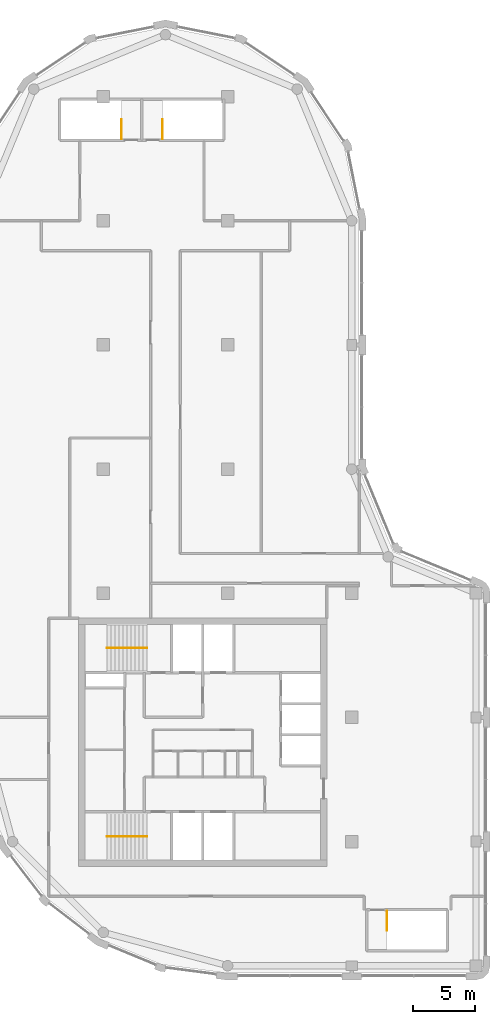
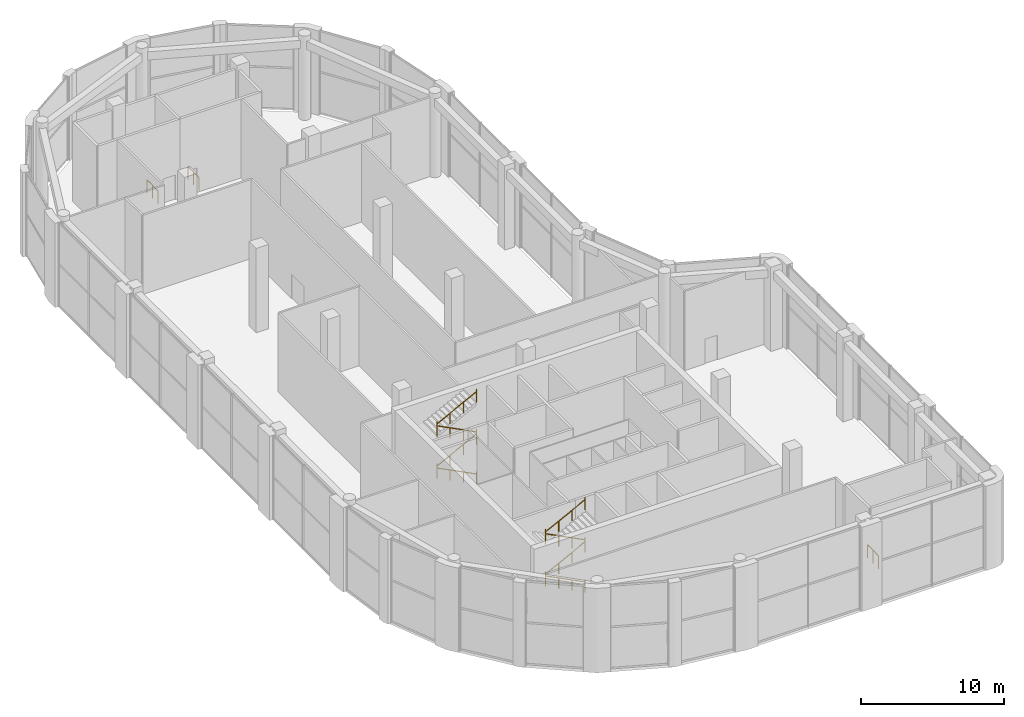
# One storey, part 14 of 14: 11 railings.
"""IFC4 building model written with IfcOpenShell, lengths in metres."""

from ifc_helpers import new_model, si_unit, direction, frame, origin, origin_2d, place, context, subcontext, project, spatial, circle, extrude, material, type_object, element, save


model = new_model("IFC4")

# Units and contexts
model_context = context("Model", 3, precision=1e-05, world=origin(), true_north=direction((0.0, 1.0)))
body_context = subcontext(model_context, "Body", "Model", "MODEL_VIEW")
ifc_project = project(units=[si_unit("LENGTHUNIT", "METRE"), si_unit("AREAUNIT", "SQUARE_METRE"), si_unit("VOLUMEUNIT", "CUBIC_METRE"), si_unit("PLANEANGLEUNIT", "RADIAN"), si_unit("MASSUNIT", "GRAM", prefix="KILO")], contexts=[model_context])

# Site, building, storey
site_placement = place(None, origin())
site = spatial("IfcSite", under=ifc_project, at=site_placement, CompositionType="ELEMENT")
building_placement = place(site_placement, origin())
building = spatial("IfcBuilding", under=site, at=building_placement, Name="Qaws Garden Tower", CompositionType="ELEMENT")
storey_placement = place(building_placement, frame((0.0, 0.0, 358.199951171875)))
storey = spatial("IfcBuildingStorey", under=building, at=storey_placement, Name="L87", CompositionType="ELEMENT", Elevation=358.199951171875)

# Railings
ifc_material_1 = material(Name="Steel S355", Category="steel")
railing_type_1 = type_object("IfcRailingType", Name="Stair guard 1100", PredefinedType="GUARDRAIL", material=ifc_material_1)
for number, where, name in (
    (1, (32.85009765625, 2.85009765625, 0.0), "Stair 5 guard"),
    (2, (11.449951171875, 66.60009765625, 0.0), "Stair 6 guard"),
    (3, (14.75, 66.60009765625, 0.0), "Stair 7 guard"),
):
    element("IfcRailing", number, at=place(storey_placement, frame(where)), inside=storey, type_object=railing_type_1, Name=name, PredefinedType="GUARDRAIL", context=body_context, shape_type="SweptSolid", body=[
        extrude(circle(Radius=0.02392578125, at=origin_2d()), frame((0.0, 0.0, 1.076171875), z_axis=(0.0, 1.0, 0.0), x_axis=(-1.0, 0.0, 0.0)), (0.0, 0.0, 1.0), 1.5498046875),
        extrude(circle(Radius=0.02099609375, at=origin_2d()), origin(), (0.0, 0.0, 1.0), 1.052001953125),
        extrude(circle(Radius=0.02099609375, at=origin_2d()), frame((0.0, 0.77490234375, 0.0)), (0.0, 0.0, 1.0), 1.052001953125),
        extrude(circle(Radius=0.02099609375, at=origin_2d()), frame((0.0, 1.5498046875, 0.0)), (0.0, 0.0, 1.0), 1.052001953125),
    ])
ifc_material_2 = material(Name="Steel S355", Category="steel")
railing_type_2 = type_object("IfcRailingType", Name="Stair handrail 900", PredefinedType="HANDRAIL", material=ifc_material_2)
railing_1_placement = place(storey_placement, frame((13.5, 10.39990234375, 0.16357421875)))
element("IfcRailing", 4, at=railing_1_placement, inside=storey, type_object=railing_type_2, Name="Stair 1 handrail", PredefinedType="HANDRAIL", context=body_context, shape_type="SweptSolid", body=[
    extrude(circle(Radius=0.02392578125, at=origin_2d()), frame((0.0, 0.0, 0.8759765625), z_axis=(-0.890328218293, 0.0, 0.455319298636), x_axis=(0.0, -1.0, 0.0)), (0.0, 0.0, 1.0), 3.59423828125),
    extrude(circle(Radius=0.02099609375, at=origin_2d()), origin(), (0.0, 0.0, 1.0), 1.06396484375),
    extrude(circle(Radius=0.02099609375, at=origin_2d()), frame((-1.066650390625, 0.0, 0.54541015625)), (0.0, 0.0, 1.0), 0.851806640625),
    extrude(circle(Radius=0.02099609375, at=origin_2d()), frame((-2.13330078125, 0.0, 1.091064453125)), (0.0, 0.0, 1.0), 0.851806640625),
    extrude(circle(Radius=0.02099609375, at=origin_2d()), frame((-3.199951171875, 0.0, 1.636474609375)), (0.0, 0.0, 1.0), 1.06396484375),
])
railing_2_placement = place(storey_placement, frame((10.300048828125, 10.39990234375, 1.963623046875)))
element("IfcRailing", 5, at=railing_2_placement, inside=storey, type_object=railing_type_2, Name="Stair 1 handrail", PredefinedType="HANDRAIL", context=body_context, shape_type="SweptSolid", body=[
    extrude(circle(Radius=0.02392578125, at=origin_2d()), frame((0.0, 0.0, 0.8759765625), z_axis=(0.890328218293, 0.0, 0.455319298636), x_axis=(0.0, 1.0, 0.0)), (0.0, 0.0, 1.0), 3.59423828125),
    extrude(circle(Radius=0.02099609375, at=origin_2d()), origin(), (0.0, 0.0, 1.0), 1.06396484375),
    extrude(circle(Radius=0.02099609375, at=origin_2d()), frame((1.066650390625, 0.0, 0.54541015625)), (0.0, 0.0, 1.0), 0.851806640625),
    extrude(circle(Radius=0.02099609375, at=origin_2d()), frame((2.13330078125, 0.0, 1.091064453125)), (0.0, 0.0, 1.0), 0.851806640625),
    extrude(circle(Radius=0.02099609375, at=origin_2d()), frame((3.199951171875, 0.0, 1.636474609375)), (0.0, 0.0, 1.0), 1.06396484375),
])
railing_3_placement = place(storey_placement, frame((13.5, 10.39990234375, 3.763671875)))
element("IfcRailing", 6, at=railing_3_placement, inside=storey, type_object=railing_type_2, Name="Stair 1 handrail", PredefinedType="HANDRAIL", context=body_context, shape_type="SweptSolid", body=[
    extrude(circle(Radius=0.02392578125, at=origin_2d()), frame((0.0, 0.0, 0.8759765625), z_axis=(-0.890328218293, 0.0, 0.455319298636), x_axis=(0.0, -1.0, 0.0)), (0.0, 0.0, 1.0), 3.59423828125),
    extrude(circle(Radius=0.02099609375, at=origin_2d()), origin(), (0.0, 0.0, 1.0), 1.06396484375),
    extrude(circle(Radius=0.02099609375, at=origin_2d()), frame((-1.066650390625, 0.0, 0.54541015625)), (0.0, 0.0, 1.0), 0.851806640625),
    extrude(circle(Radius=0.02099609375, at=origin_2d()), frame((-2.13330078125, 0.0, 1.091064453125)), (0.0, 0.0, 1.0), 0.851806640625),
    extrude(circle(Radius=0.02099609375, at=origin_2d()), frame((-3.199951171875, 0.0, 1.636474609375)), (0.0, 0.0, 1.0), 1.06396484375),
])
railing_4_placement = place(storey_placement, frame((10.300048828125, 10.39990234375, 5.563720703125)))
element("IfcRailing", 7, at=railing_4_placement, inside=storey, type_object=railing_type_2, Name="Stair 1 handrail", PredefinedType="HANDRAIL", context=body_context, shape_type="SweptSolid", body=[
    extrude(circle(Radius=0.02392578125, at=origin_2d()), frame((0.0, 0.0, 0.8759765625), z_axis=(0.890355754289, 0.0, 0.455265450923), x_axis=(0.0, 1.0, 0.0)), (0.0, 0.0, 1.0), 3.593994140625),
    extrude(circle(Radius=0.02099609375, at=origin_2d()), origin(), (0.0, 0.0, 1.0), 1.06396484375),
    extrude(circle(Radius=0.02099609375, at=origin_2d()), frame((1.066650390625, 0.0, 0.54541015625)), (0.0, 0.0, 1.0), 0.851806640625),
    extrude(circle(Radius=0.02099609375, at=origin_2d()), frame((2.13330078125, 0.0, 1.0908203125)), (0.0, 0.0, 1.0), 0.851806640625),
    extrude(circle(Radius=0.02099609375, at=origin_2d()), frame((3.199951171875, 0.0, 1.63623046875)), (0.0, 0.0, 1.0), 1.06396484375),
])
railing_5_placement = place(storey_placement, frame((13.5, 25.60009765625, 0.16357421875)))
element("IfcRailing", 8, at=railing_5_placement, inside=storey, type_object=railing_type_2, Name="Stair 4 handrail", PredefinedType="HANDRAIL", context=body_context, shape_type="SweptSolid", body=[
    extrude(circle(Radius=0.02392578125, at=origin_2d()), frame((0.0, 0.0, 0.8759765625), z_axis=(-0.890328218293, 0.0, 0.455319298636), x_axis=(0.0, -1.0, 0.0)), (0.0, 0.0, 1.0), 3.59423828125),
    extrude(circle(Radius=0.02099609375, at=origin_2d()), origin(), (0.0, 0.0, 1.0), 1.06396484375),
    extrude(circle(Radius=0.02099609375, at=origin_2d()), frame((-1.066650390625, 0.0, 0.54541015625)), (0.0, 0.0, 1.0), 0.851806640625),
    extrude(circle(Radius=0.02099609375, at=origin_2d()), frame((-2.13330078125, 0.0, 1.091064453125)), (0.0, 0.0, 1.0), 0.851806640625),
    extrude(circle(Radius=0.02099609375, at=origin_2d()), frame((-3.199951171875, 0.0, 1.636474609375)), (0.0, 0.0, 1.0), 1.06396484375),
])
railing_6_placement = place(storey_placement, frame((10.300048828125, 25.60009765625, 1.963623046875)))
element("IfcRailing", 9, at=railing_6_placement, inside=storey, type_object=railing_type_2, Name="Stair 4 handrail", PredefinedType="HANDRAIL", context=body_context, shape_type="SweptSolid", body=[
    extrude(circle(Radius=0.02392578125, at=origin_2d()), frame((0.0, 0.0, 0.8759765625), z_axis=(0.890328218293, 0.0, 0.455319298636), x_axis=(0.0, 1.0, 0.0)), (0.0, 0.0, 1.0), 3.59423828125),
    extrude(circle(Radius=0.02099609375, at=origin_2d()), origin(), (0.0, 0.0, 1.0), 1.06396484375),
    extrude(circle(Radius=0.02099609375, at=origin_2d()), frame((1.066650390625, 0.0, 0.54541015625)), (0.0, 0.0, 1.0), 0.851806640625),
    extrude(circle(Radius=0.02099609375, at=origin_2d()), frame((2.13330078125, 0.0, 1.091064453125)), (0.0, 0.0, 1.0), 0.851806640625),
    extrude(circle(Radius=0.02099609375, at=origin_2d()), frame((3.199951171875, 0.0, 1.636474609375)), (0.0, 0.0, 1.0), 1.06396484375),
])
railing_7_placement = place(storey_placement, frame((13.5, 25.60009765625, 3.763671875)))
element("IfcRailing", 10, at=railing_7_placement, inside=storey, type_object=railing_type_2, Name="Stair 4 handrail", PredefinedType="HANDRAIL", context=body_context, shape_type="SweptSolid", body=[
    extrude(circle(Radius=0.02392578125, at=origin_2d()), frame((0.0, 0.0, 0.8759765625), z_axis=(-0.890328218293, 0.0, 0.455319298636), x_axis=(0.0, -1.0, 0.0)), (0.0, 0.0, 1.0), 3.59423828125),
    extrude(circle(Radius=0.02099609375, at=origin_2d()), origin(), (0.0, 0.0, 1.0), 1.06396484375),
    extrude(circle(Radius=0.02099609375, at=origin_2d()), frame((-1.066650390625, 0.0, 0.54541015625)), (0.0, 0.0, 1.0), 0.851806640625),
    extrude(circle(Radius=0.02099609375, at=origin_2d()), frame((-2.13330078125, 0.0, 1.091064453125)), (0.0, 0.0, 1.0), 0.851806640625),
    extrude(circle(Radius=0.02099609375, at=origin_2d()), frame((-3.199951171875, 0.0, 1.636474609375)), (0.0, 0.0, 1.0), 1.06396484375),
])
railing_8_placement = place(storey_placement, frame((10.300048828125, 25.60009765625, 5.563720703125)))
element("IfcRailing", 11, at=railing_8_placement, inside=storey, type_object=railing_type_2, Name="Stair 4 handrail", PredefinedType="HANDRAIL", context=body_context, shape_type="SweptSolid", body=[
    extrude(circle(Radius=0.02392578125, at=origin_2d()), frame((0.0, 0.0, 0.8759765625), z_axis=(0.890355754289, 0.0, 0.455265450923), x_axis=(0.0, 1.0, 0.0)), (0.0, 0.0, 1.0), 3.593994140625),
    extrude(circle(Radius=0.02099609375, at=origin_2d()), origin(), (0.0, 0.0, 1.0), 1.06396484375),
    extrude(circle(Radius=0.02099609375, at=origin_2d()), frame((1.066650390625, 0.0, 0.54541015625)), (0.0, 0.0, 1.0), 0.851806640625),
    extrude(circle(Radius=0.02099609375, at=origin_2d()), frame((2.13330078125, 0.0, 1.0908203125)), (0.0, 0.0, 1.0), 0.851806640625),
    extrude(circle(Radius=0.02099609375, at=origin_2d()), frame((3.199951171875, 0.0, 1.63623046875)), (0.0, 0.0, 1.0), 1.06396484375),
])

save(model, "model.ifc")
